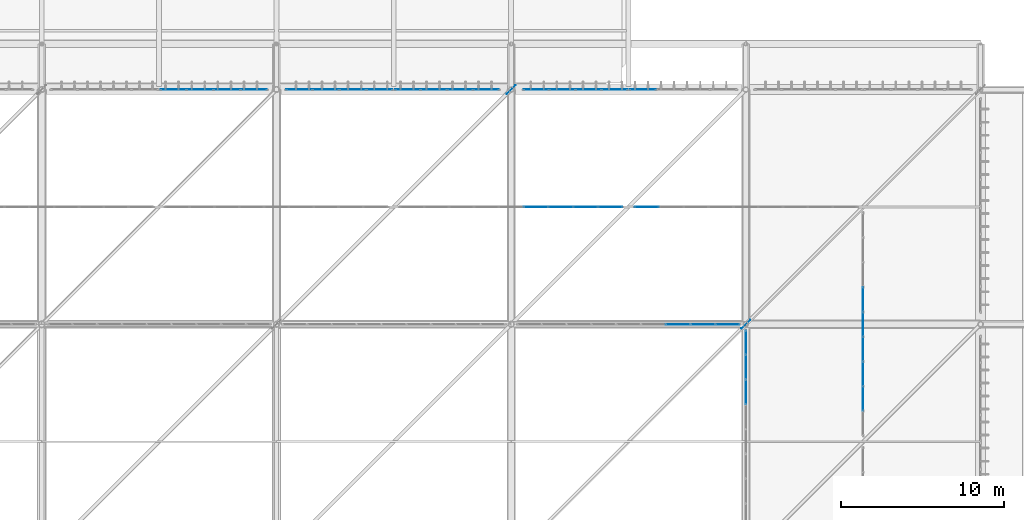
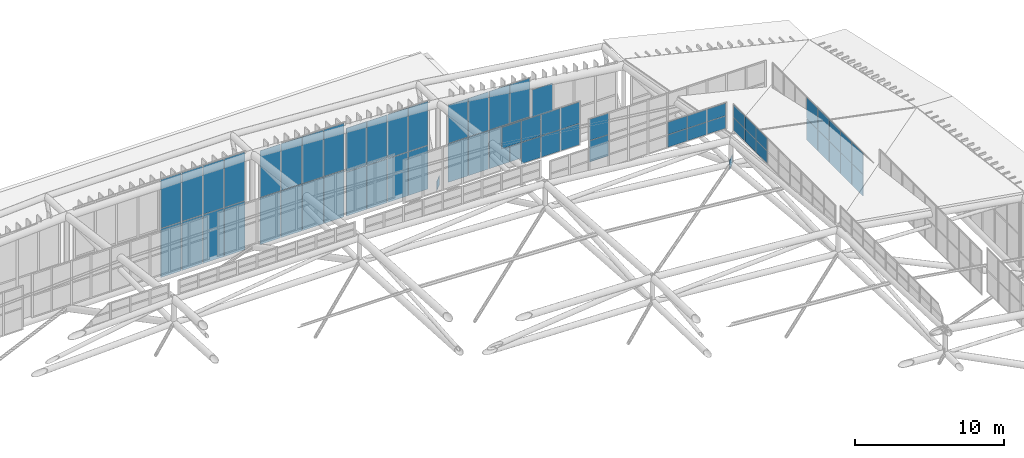
# One storey, part 382 of 397: 67 plates, 10 elements without a shape of their own.
"""IFC4 building model written with IfcOpenShell, lengths in metres."""

from ifc_helpers import new_model, si_unit, direction, frame, origin, origin_2d, place, context, subcontext, project, spatial, rectangle, extrude, material, layer, layer_set, type_object, element, aggregate, save


model = new_model("IFC4")

# Units and contexts
model_context = context("Model", 3, precision=1e-05, world=origin(), true_north=direction((0.0, 1.0)))
body_context = subcontext(model_context, "Body", "Model", "MODEL_VIEW")
ifc_project = project(units=[si_unit("LENGTHUNIT", "METRE"), si_unit("AREAUNIT", "SQUARE_METRE"), si_unit("VOLUMEUNIT", "CUBIC_METRE"), si_unit("PLANEANGLEUNIT", "RADIAN"), si_unit("MASSUNIT", "GRAM", prefix="KILO")], contexts=[model_context])

# Site, building, storey
site_placement = place(None, origin())
site = spatial("IfcSite", under=ifc_project, at=site_placement, CompositionType="ELEMENT")
building_placement = place(site_placement, origin())
building = spatial("IfcBuilding", under=site, at=building_placement, Name="Qandorah Velis Arena", CompositionType="ELEMENT")
storey_placement = place(building_placement, frame((0.0, 0.0, 27.5)))
storey = spatial("IfcBuildingStorey", under=building, at=storey_placement, Name="RF", CompositionType="ELEMENT", Elevation=27.5)

# Curtain wall, plates
ifc_material_1 = material(Name="Solar-control low-E double glazing", Category="glass")
curtain_wall_type_1 = type_object("IfcCurtainWallType", Name="ARC-CW-SYS18", PredefinedType="USERDEFINED", material=ifc_material_1)
curtain_wall_1_placement = place(storey_placement, origin())
curtain_wall_1 = element("IfcCurtainWall", 1, at=curtain_wall_1_placement, inside=storey, type_object=curtain_wall_type_1, Name="Unitised curtain wall MON-2-6", ObjectType="UNITISED CURTAIN WALL", PredefinedType="USERDEFINED")
ifc_layer_1 = layer(ifc_material_1, 0.030029296875)
ifc_layer_set_1 = layer_set([ifc_layer_1], Name="Solar-control low-E double glazing")
plate_type_1 = type_object("IfcPlateType", Name="ARC-CWP-GLZ30", PredefinedType="CURTAIN_PANEL", material=ifc_layer_set_1)
plate_1_placement = place(storey_placement, frame((108.0, 96.2333984375, 3.58642578125), z_axis=(0.0, 0.0, 1.0), x_axis=(0.0, 1.0, 0.0)))
plate_1 = element("IfcPlate", 2, at=plate_1_placement, type_object=plate_type_1, Name="CW18 panel 2.1", PredefinedType="CURTAIN_PANEL", context=body_context, shape_type="SweptSolid", body=[
    extrude(rectangle(XDim=1.4873046875, YDim=0.030029296875, at=origin_2d()), origin(), (0.0, 0.0, 1.0), 1.737548828125),
])
plate_2_placement = place(storey_placement, frame((108.0, 96.2333984375, 5.35888671875), z_axis=(0.0, 0.0, 1.0), x_axis=(0.0, 1.0, 0.0)))
plate_2 = element("IfcPlate", 3, at=plate_2_placement, type_object=plate_type_1, Name="CW18 panel 2.2", PredefinedType="CURTAIN_PANEL", context=body_context, shape_type="SweptSolid", body=[
    extrude(rectangle(XDim=1.4873046875, YDim=0.030029296875, at=origin_2d()), origin(), (0.0, 0.0, 1.0), 1.737548828125),
])
plate_3_placement = place(storey_placement, frame((108.0, 97.755615234375, 3.58642578125), z_axis=(0.0, 0.0, 1.0), x_axis=(0.0, 1.0, 0.0)))
plate_3 = element("IfcPlate", 4, at=plate_3_placement, type_object=plate_type_1, Name="CW18 panel 3.1", PredefinedType="CURTAIN_PANEL", context=body_context, shape_type="SweptSolid", body=[
    extrude(rectangle(XDim=1.4873046875, YDim=0.030029296875, at=origin_2d()), origin(), (0.0, 0.0, 1.0), 1.737548828125),
])
plate_4_placement = place(storey_placement, frame((108.0, 97.755615234375, 5.35888671875), z_axis=(0.0, 0.0, 1.0), x_axis=(0.0, 1.0, 0.0)))
plate_4 = element("IfcPlate", 5, at=plate_4_placement, type_object=plate_type_1, Name="CW18 panel 3.2", PredefinedType="CURTAIN_PANEL", context=body_context, shape_type="SweptSolid", body=[
    extrude(rectangle(XDim=1.4873046875, YDim=0.030029296875, at=origin_2d()), origin(), (0.0, 0.0, 1.0), 1.737548828125),
])
plate_5_placement = place(storey_placement, frame((108.0, 99.27783203125, 3.58642578125), z_axis=(0.0, 0.0, 1.0), x_axis=(0.0, 1.0, 0.0)))
plate_5 = element("IfcPlate", 6, at=plate_5_placement, type_object=plate_type_1, Name="CW18 panel 4.1", PredefinedType="CURTAIN_PANEL", context=body_context, shape_type="SweptSolid", body=[
    extrude(rectangle(XDim=1.4873046875, YDim=0.030029296875, at=origin_2d()), origin(), (0.0, 0.0, 1.0), 1.737548828125),
])
plate_6_placement = place(storey_placement, frame((108.0, 99.27783203125, 5.35888671875), z_axis=(0.0, 0.0, 1.0), x_axis=(0.0, 1.0, 0.0)))
plate_6 = element("IfcPlate", 7, at=plate_6_placement, type_object=plate_type_1, Name="CW18 panel 4.2", PredefinedType="CURTAIN_PANEL", context=body_context, shape_type="SweptSolid", body=[
    extrude(rectangle(XDim=1.4873046875, YDim=0.030029296875, at=origin_2d()), origin(), (0.0, 0.0, 1.0), 1.737548828125),
])
plate_7_placement = place(storey_placement, frame((108.0, 100.800048828125, 3.58642578125), z_axis=(0.0, 0.0, 1.0), x_axis=(0.0, 1.0, 0.0)))
plate_7 = element("IfcPlate", 8, at=plate_7_placement, type_object=plate_type_1, Name="CW18 panel 5.1", PredefinedType="CURTAIN_PANEL", context=body_context, shape_type="SweptSolid", body=[
    extrude(rectangle(XDim=1.4873046875, YDim=0.030029296875, at=origin_2d()), origin(), (0.0, 0.0, 1.0), 1.737548828125),
])
plate_8_placement = place(storey_placement, frame((108.0, 100.800048828125, 5.35888671875), z_axis=(0.0, 0.0, 1.0), x_axis=(0.0, 1.0, 0.0)))
plate_8 = element("IfcPlate", 9, at=plate_8_placement, type_object=plate_type_1, Name="CW18 panel 5.2", PredefinedType="CURTAIN_PANEL", context=body_context, shape_type="SweptSolid", body=[
    extrude(rectangle(XDim=1.4873046875, YDim=0.030029296875, at=origin_2d()), origin(), (0.0, 0.0, 1.0), 1.737548828125),
])
plate_9_placement = place(storey_placement, frame((108.0, 102.322265625, 3.58642578125), z_axis=(0.0, 0.0, 1.0), x_axis=(0.0, 1.0, 0.0)))
plate_9 = element("IfcPlate", 10, at=plate_9_placement, type_object=plate_type_1, Name="CW18 panel 6.1", PredefinedType="CURTAIN_PANEL", context=body_context, shape_type="SweptSolid", body=[
    extrude(rectangle(XDim=1.4873046875, YDim=0.030029296875, at=origin_2d()), origin(), (0.0, 0.0, 1.0), 1.737548828125),
])
plate_10_placement = place(storey_placement, frame((108.0, 102.322265625, 5.35888671875), z_axis=(0.0, 0.0, 1.0), x_axis=(0.0, 1.0, 0.0)))
plate_10 = element("IfcPlate", 11, at=plate_10_placement, type_object=plate_type_1, Name="CW18 panel 6.2", PredefinedType="CURTAIN_PANEL", context=body_context, shape_type="SweptSolid", body=[
    extrude(rectangle(XDim=1.4873046875, YDim=0.030029296875, at=origin_2d()), origin(), (0.0, 0.0, 1.0), 1.737548828125),
])
aggregate(curtain_wall_1, [plate_1, plate_2, plate_3, plate_4, plate_5, plate_6, plate_7, plate_8, plate_9, plate_10])

curtain_wall_type_2 = type_object("IfcCurtainWallType", Name="ARC-CW-SYS05", PredefinedType="USERDEFINED", material=ifc_material_1)
curtain_wall_2_placement = place(storey_placement, origin())
curtain_wall_2 = element("IfcCurtainWall", 12, at=curtain_wall_2_placement, inside=storey, type_object=curtain_wall_type_2, Name="Unitised curtain wall MON-4-5", ObjectType="UNITISED CURTAIN WALL", PredefinedType="USERDEFINED")
plate_11_placement = place(storey_placement, frame((87.922119140625, 108.0, 7.17041015625), z_axis=(0.0, 0.0, 1.0), x_axis=(1.0, 0.0, 0.0)))
plate_11 = element("IfcPlate", 13, at=plate_11_placement, type_object=plate_type_1, Name="CW05 panel 6.2", PredefinedType="CURTAIN_PANEL", context=body_context, shape_type="SweptSolid", body=[
    extrude(rectangle(XDim=1.4873046875, YDim=0.030029296875, at=origin_2d()), origin(), (0.0, 0.0, 1.0), 1.737548828125),
])
plate_12_placement = place(storey_placement, frame((89.4443359375, 108.0, 5.3974609375), z_axis=(0.0, 0.0, 1.0), x_axis=(1.0, 0.0, 0.0)))
plate_12 = element("IfcPlate", 14, at=plate_12_placement, type_object=plate_type_1, Name="CW05 panel 7.1", PredefinedType="CURTAIN_PANEL", context=body_context, shape_type="SweptSolid", body=[
    extrude(rectangle(XDim=1.4873046875, YDim=0.030029296875, at=origin_2d()), origin(), (0.0, 0.0, 1.0), 1.737548828125),
])
plate_13_placement = place(storey_placement, frame((89.4443359375, 108.0, 7.17041015625), z_axis=(0.0, 0.0, 1.0), x_axis=(1.0, 0.0, 0.0)))
plate_13 = element("IfcPlate", 15, at=plate_13_placement, type_object=plate_type_1, Name="CW05 panel 7.2", PredefinedType="CURTAIN_PANEL", context=body_context, shape_type="SweptSolid", body=[
    extrude(rectangle(XDim=1.4873046875, YDim=0.030029296875, at=origin_2d()), origin(), (0.0, 0.0, 1.0), 1.737548828125),
])
plate_14_placement = place(storey_placement, frame((90.966552734375, 108.0, 5.3974609375), z_axis=(0.0, 0.0, 1.0), x_axis=(1.0, 0.0, 0.0)))
plate_14 = element("IfcPlate", 16, at=plate_14_placement, type_object=plate_type_1, Name="CW05 panel 8.1", PredefinedType="CURTAIN_PANEL", context=body_context, shape_type="SweptSolid", body=[
    extrude(rectangle(XDim=1.4873046875, YDim=0.030029296875, at=origin_2d()), origin(), (0.0, 0.0, 1.0), 1.737548828125),
])
plate_15_placement = place(storey_placement, frame((90.966552734375, 108.0, 7.17041015625), z_axis=(0.0, 0.0, 1.0), x_axis=(1.0, 0.0, 0.0)))
plate_15 = element("IfcPlate", 17, at=plate_15_placement, type_object=plate_type_1, Name="CW05 panel 8.2", PredefinedType="CURTAIN_PANEL", context=body_context, shape_type="SweptSolid", body=[
    extrude(rectangle(XDim=1.4873046875, YDim=0.030029296875, at=origin_2d()), origin(), (0.0, 0.0, 1.0), 1.737548828125),
])
plate_16_placement = place(storey_placement, frame((92.47509765625, 108.0, 5.3974609375), z_axis=(0.0, 0.0, 1.0), x_axis=(1.0, 0.0, 0.0)))
plate_16 = element("IfcPlate", 18, at=plate_16_placement, type_object=plate_type_1, Name="CW05 panel 9.1", PredefinedType="CURTAIN_PANEL", context=body_context, shape_type="SweptSolid", body=[
    extrude(rectangle(XDim=1.459716796875, YDim=0.030029296875, at=origin_2d()), origin(), (0.0, 0.0, 1.0), 1.737548828125),
])
plate_17_placement = place(storey_placement, frame((92.47509765625, 108.0, 7.17041015625), z_axis=(0.0, 0.0, 1.0), x_axis=(1.0, 0.0, 0.0)))
plate_17 = element("IfcPlate", 19, at=plate_17_placement, type_object=plate_type_1, Name="CW05 panel 9.2", PredefinedType="CURTAIN_PANEL", context=body_context, shape_type="SweptSolid", body=[
    extrude(rectangle(XDim=1.459716796875, YDim=0.030029296875, at=origin_2d()), origin(), (0.0, 0.0, 1.0), 1.737548828125),
])
aggregate(curtain_wall_2, [plate_11, plate_12, plate_13, plate_14, plate_15, plate_16, plate_17])

curtain_wall_type_3 = type_object("IfcCurtainWallType", Name="ARC-CW-SYS06", PredefinedType="USERDEFINED", material=ifc_material_1)
curtain_wall_3_placement = place(storey_placement, origin())
curtain_wall_3 = element("IfcCurtainWall", 20, at=curtain_wall_3_placement, inside=storey, type_object=curtain_wall_type_3, Name="Unitised curtain wall MON-4-6", ObjectType="UNITISED CURTAIN WALL", PredefinedType="USERDEFINED")
plate_18_placement = place(storey_placement, frame((94.724853515625, 108.0, 3.685546875), z_axis=(0.0, 0.0, 1.0), x_axis=(1.0, 0.0, 0.0)))
plate_18 = element("IfcPlate", 21, at=plate_18_placement, type_object=plate_type_1, Name="CW06 panel 1.1", PredefinedType="CURTAIN_PANEL", context=body_context, shape_type="SweptSolid", body=[
    extrude(rectangle(XDim=1.459716796875, YDim=0.030029296875, at=origin_2d()), origin(), (0.0, 0.0, 1.0), 1.737548828125),
])
plate_19_placement = place(storey_placement, frame((94.724853515625, 108.0, 5.45849609375), z_axis=(0.0, 0.0, 1.0), x_axis=(1.0, 0.0, 0.0)))
plate_19 = element("IfcPlate", 22, at=plate_19_placement, type_object=plate_type_1, Name="CW06 panel 1.2", PredefinedType="CURTAIN_PANEL", context=body_context, shape_type="SweptSolid", body=[
    extrude(rectangle(XDim=1.459716796875, YDim=0.030029296875, at=origin_2d()), origin(), (0.0, 0.0, 1.0), 1.737548828125),
])
aggregate(curtain_wall_3, [plate_18, plate_19])

curtain_wall_type_4 = type_object("IfcCurtainWallType", Name="ARC-CW-SYS15", PredefinedType="USERDEFINED", material=ifc_material_1)
curtain_wall_4_placement = place(storey_placement, origin())
curtain_wall_4 = element("IfcCurtainWall", 23, at=curtain_wall_4_placement, inside=storey, type_object=curtain_wall_type_4, Name="Unitised curtain wall OCULUS-2-5", ObjectType="UNITISED CURTAIN WALL", PredefinedType="USERDEFINED")
plate_20_placement = place(storey_placement, frame((100.800048828125, 96.64453125, 8.53125), z_axis=(0.0, 0.0, 1.0), x_axis=(0.0, 1.0, 0.0)))
plate_20 = element("IfcPlate", 24, at=plate_20_placement, type_object=plate_type_1, Name="CW15 panel 7.1", PredefinedType="CURTAIN_PANEL", context=body_context, shape_type="SweptSolid", body=[
    extrude(rectangle(XDim=1.4873046875, YDim=0.030029296875, at=origin_2d()), origin(), (0.0, 0.0, 1.0), 1.012451171875),
])
plate_21_placement = place(storey_placement, frame((100.800048828125, 96.64453125, 9.57861328125), z_axis=(0.0, 0.0, 1.0), x_axis=(0.0, 1.0, 0.0)))
plate_21 = element("IfcPlate", 25, at=plate_21_placement, type_object=plate_type_1, Name="CW15 panel 7.2", PredefinedType="CURTAIN_PANEL", context=body_context, shape_type="SweptSolid", body=[
    extrude(rectangle(XDim=1.4873046875, YDim=0.030029296875, at=origin_2d()), origin(), (0.0, 0.0, 1.0), 1.012451171875),
])
plate_22_placement = place(storey_placement, frame((100.800048828125, 98.166748046875, 8.53125), z_axis=(0.0, 0.0, 1.0), x_axis=(0.0, 1.0, 0.0)))
plate_22 = element("IfcPlate", 26, at=plate_22_placement, type_object=plate_type_1, Name="CW15 panel 8.1", PredefinedType="CURTAIN_PANEL", context=body_context, shape_type="SweptSolid", body=[
    extrude(rectangle(XDim=1.4873046875, YDim=0.030029296875, at=origin_2d()), origin(), (0.0, 0.0, 1.0), 1.012451171875),
])
plate_23_placement = place(storey_placement, frame((100.800048828125, 98.166748046875, 9.57861328125), z_axis=(0.0, 0.0, 1.0), x_axis=(0.0, 1.0, 0.0)))
plate_23 = element("IfcPlate", 27, at=plate_23_placement, type_object=plate_type_1, Name="CW15 panel 8.2", PredefinedType="CURTAIN_PANEL", context=body_context, shape_type="SweptSolid", body=[
    extrude(rectangle(XDim=1.4873046875, YDim=0.030029296875, at=origin_2d()), origin(), (0.0, 0.0, 1.0), 1.012451171875),
])
plate_24_placement = place(storey_placement, frame((100.800048828125, 99.675048828125, 8.53125), z_axis=(0.0, 0.0, 1.0), x_axis=(0.0, 1.0, 0.0)))
plate_24 = element("IfcPlate", 28, at=plate_24_placement, type_object=plate_type_1, Name="CW15 panel 9.1", PredefinedType="CURTAIN_PANEL", context=body_context, shape_type="SweptSolid", body=[
    extrude(rectangle(XDim=1.459716796875, YDim=0.030029296875, at=origin_2d()), origin(), (0.0, 0.0, 1.0), 1.012451171875),
])
plate_25_placement = place(storey_placement, frame((100.800048828125, 99.675048828125, 9.57861328125), z_axis=(0.0, 0.0, 1.0), x_axis=(0.0, 1.0, 0.0)))
plate_25 = element("IfcPlate", 29, at=plate_25_placement, type_object=plate_type_1, Name="CW15 panel 9.2", PredefinedType="CURTAIN_PANEL", context=body_context, shape_type="SweptSolid", body=[
    extrude(rectangle(XDim=1.459716796875, YDim=0.030029296875, at=origin_2d()), origin(), (0.0, 0.0, 1.0), 1.012451171875),
])
aggregate(curtain_wall_4, [plate_20, plate_21, plate_22, plate_23, plate_24, plate_25])

curtain_wall_type_5 = type_object("IfcCurtainWallType", Name="ARC-CW-SYS01", PredefinedType="USERDEFINED", material=ifc_material_1)
curtain_wall_5_placement = place(storey_placement, origin())
curtain_wall_5 = element("IfcCurtainWall", 30, at=curtain_wall_5_placement, inside=storey, type_object=curtain_wall_type_5, Name="Unitised curtain wall OCULUS-4-5", ObjectType="UNITISED CURTAIN WALL", PredefinedType="USERDEFINED")
plate_26_placement = place(storey_placement, frame((96.64453125, 100.800048828125, 8.59521484375), z_axis=(0.0, 0.0, 1.0), x_axis=(1.0, 0.0, 0.0)))
plate_26 = element("IfcPlate", 31, at=plate_26_placement, type_object=plate_type_1, Name="CW01 panel 7.1", PredefinedType="CURTAIN_PANEL", context=body_context, shape_type="SweptSolid", body=[
    extrude(rectangle(XDim=1.4873046875, YDim=0.030029296875, at=origin_2d()), origin(), (0.0, 0.0, 1.0), 1.012451171875),
])
plate_27_placement = place(storey_placement, frame((96.64453125, 100.800048828125, 9.642578125), z_axis=(0.0, 0.0, 1.0), x_axis=(1.0, 0.0, 0.0)))
plate_27 = element("IfcPlate", 32, at=plate_27_placement, type_object=plate_type_1, Name="CW01 panel 7.2", PredefinedType="CURTAIN_PANEL", context=body_context, shape_type="SweptSolid", body=[
    extrude(rectangle(XDim=1.4873046875, YDim=0.030029296875, at=origin_2d()), origin(), (0.0, 0.0, 1.0), 1.012451171875),
])
plate_28_placement = place(storey_placement, frame((98.166748046875, 100.800048828125, 8.59521484375), z_axis=(0.0, 0.0, 1.0), x_axis=(1.0, 0.0, 0.0)))
plate_28 = element("IfcPlate", 33, at=plate_28_placement, type_object=plate_type_1, Name="CW01 panel 8.1", PredefinedType="CURTAIN_PANEL", context=body_context, shape_type="SweptSolid", body=[
    extrude(rectangle(XDim=1.4873046875, YDim=0.030029296875, at=origin_2d()), origin(), (0.0, 0.0, 1.0), 1.012451171875),
])
plate_29_placement = place(storey_placement, frame((98.166748046875, 100.800048828125, 9.642578125), z_axis=(0.0, 0.0, 1.0), x_axis=(1.0, 0.0, 0.0)))
plate_29 = element("IfcPlate", 34, at=plate_29_placement, type_object=plate_type_1, Name="CW01 panel 8.2", PredefinedType="CURTAIN_PANEL", context=body_context, shape_type="SweptSolid", body=[
    extrude(rectangle(XDim=1.4873046875, YDim=0.030029296875, at=origin_2d()), origin(), (0.0, 0.0, 1.0), 1.012451171875),
])
plate_30_placement = place(storey_placement, frame((99.675048828125, 100.800048828125, 8.59521484375), z_axis=(0.0, 0.0, 1.0), x_axis=(1.0, 0.0, 0.0)))
plate_30 = element("IfcPlate", 35, at=plate_30_placement, type_object=plate_type_1, Name="CW01 panel 9.1", PredefinedType="CURTAIN_PANEL", context=body_context, shape_type="SweptSolid", body=[
    extrude(rectangle(XDim=1.459716796875, YDim=0.030029296875, at=origin_2d()), origin(), (0.0, 0.0, 1.0), 1.012451171875),
])
plate_31_placement = place(storey_placement, frame((99.675048828125, 100.800048828125, 9.642578125), z_axis=(0.0, 0.0, 1.0), x_axis=(1.0, 0.0, 0.0)))
plate_31 = element("IfcPlate", 36, at=plate_31_placement, type_object=plate_type_1, Name="CW01 panel 9.2", PredefinedType="CURTAIN_PANEL", context=body_context, shape_type="SweptSolid", body=[
    extrude(rectangle(XDim=1.459716796875, YDim=0.030029296875, at=origin_2d()), origin(), (0.0, 0.0, 1.0), 1.012451171875),
])
aggregate(curtain_wall_5, [plate_26, plate_27, plate_28, plate_29, plate_30, plate_31])

curtain_wall_6_placement = place(storey_placement, origin())
curtain_wall_6 = element("IfcCurtainWall", 37, at=curtain_wall_6_placement, inside=storey, type_object=curtain_wall_type_2, Name="Unitised curtain wall CROWN-4-04S2", ObjectType="UNITISED CURTAIN WALL", PredefinedType="USERDEFINED")
ifc_layer_2 = layer(ifc_material_1, 0.035888671875)
ifc_layer_set_2 = layer_set([ifc_layer_2], Name="Solar-control low-E double glazing")
plate_type_2 = type_object("IfcPlateType", Name="ARC-CWP-GLZ36", PredefinedType="CURTAIN_PANEL", material=ifc_layer_set_2)
plate_32_placement = place(storey_placement, frame((65.68115234375, 115.199951171875, 0.050048828125), z_axis=(0.0, 0.0, 1.0), x_axis=(1.0, 0.0, 0.0)))
plate_32 = element("IfcPlate", 38, at=plate_32_placement, type_object=plate_type_2, Name="CW05 panel 1.1", PredefinedType="CURTAIN_PANEL", context=body_context, shape_type="SweptSolid", body=[
    extrude(rectangle(XDim=1.58251953125, YDim=0.035888671875, at=origin_2d()), origin(), (0.0, 0.0, 1.0), 3.990234375),
])
plate_33_placement = place(storey_placement, frame((65.68115234375, 115.199951171875, 4.080078125), z_axis=(0.0, 0.0, 1.0), x_axis=(1.0, 0.0, 0.0)))
plate_33 = element("IfcPlate", 39, at=plate_33_placement, type_object=plate_type_2, Name="CW05 panel 1.2", PredefinedType="CURTAIN_PANEL", context=body_context, shape_type="SweptSolid", body=[
    extrude(rectangle(XDim=1.58251953125, YDim=0.035888671875, at=origin_2d()), origin(), (0.0, 0.0, 1.0), 3.990478515625),
])
plate_34_placement = place(storey_placement, frame((67.31884765625, 115.199951171875, 0.050048828125), z_axis=(0.0, 0.0, 1.0), x_axis=(1.0, 0.0, 0.0)))
plate_34 = element("IfcPlate", 40, at=plate_34_placement, type_object=plate_type_2, Name="CW05 panel 2.1", PredefinedType="CURTAIN_PANEL", context=body_context, shape_type="SweptSolid", body=[
    extrude(rectangle(XDim=1.612548828125, YDim=0.035888671875, at=origin_2d()), origin(), (0.0, 0.0, 1.0), 3.990234375),
])
plate_35_placement = place(storey_placement, frame((67.31884765625, 115.199951171875, 4.080078125), z_axis=(0.0, 0.0, 1.0), x_axis=(1.0, 0.0, 0.0)))
plate_35 = element("IfcPlate", 41, at=plate_35_placement, type_object=plate_type_2, Name="CW05 panel 2.2", PredefinedType="CURTAIN_PANEL", context=body_context, shape_type="SweptSolid", body=[
    extrude(rectangle(XDim=1.612548828125, YDim=0.035888671875, at=origin_2d()), origin(), (0.0, 0.0, 1.0), 3.990478515625),
])
plate_36_placement = place(storey_placement, frame((68.97119140625, 115.199951171875, 0.050048828125), z_axis=(0.0, 0.0, 1.0), x_axis=(1.0, 0.0, 0.0)))
plate_36 = element("IfcPlate", 42, at=plate_36_placement, type_object=plate_type_2, Name="CW05 panel 3.1", PredefinedType="CURTAIN_PANEL", context=body_context, shape_type="SweptSolid", body=[
    extrude(rectangle(XDim=1.612548828125, YDim=0.035888671875, at=origin_2d()), origin(), (0.0, 0.0, 1.0), 3.990234375),
])
plate_37_placement = place(storey_placement, frame((68.97119140625, 115.199951171875, 4.080078125), z_axis=(0.0, 0.0, 1.0), x_axis=(1.0, 0.0, 0.0)))
plate_37 = element("IfcPlate", 43, at=plate_37_placement, type_object=plate_type_2, Name="CW05 panel 3.2", PredefinedType="CURTAIN_PANEL", context=body_context, shape_type="SweptSolid", body=[
    extrude(rectangle(XDim=1.612548828125, YDim=0.035888671875, at=origin_2d()), origin(), (0.0, 0.0, 1.0), 3.990478515625),
])
plate_38_placement = place(storey_placement, frame((70.608642578125, 115.199951171875, 0.050048828125), z_axis=(0.0, 0.0, 1.0), x_axis=(1.0, 0.0, 0.0)))
plate_38 = element("IfcPlate", 44, at=plate_38_placement, type_object=plate_type_2, Name="CW05 panel 4.1", PredefinedType="CURTAIN_PANEL", context=body_context, shape_type="SweptSolid", body=[
    extrude(rectangle(XDim=1.58251953125, YDim=0.035888671875, at=origin_2d()), origin(), (0.0, 0.0, 1.0), 3.990234375),
])
plate_39_placement = place(storey_placement, frame((70.608642578125, 115.199951171875, 4.080078125), z_axis=(0.0, 0.0, 1.0), x_axis=(1.0, 0.0, 0.0)))
plate_39 = element("IfcPlate", 45, at=plate_39_placement, type_object=plate_type_2, Name="CW05 panel 4.2", PredefinedType="CURTAIN_PANEL", context=body_context, shape_type="SweptSolid", body=[
    extrude(rectangle(XDim=1.58251953125, YDim=0.035888671875, at=origin_2d()), origin(), (0.0, 0.0, 1.0), 3.990478515625),
])
aggregate(curtain_wall_6, [plate_32, plate_33, plate_34, plate_35, plate_36, plate_37, plate_38, plate_39])

curtain_wall_7_placement = place(storey_placement, origin())
curtain_wall_7 = element("IfcCurtainWall", 46, at=curtain_wall_7_placement, inside=storey, type_object=curtain_wall_type_2, Name="Unitised curtain wall CROWN-4-05S1", ObjectType="UNITISED CURTAIN WALL", PredefinedType="USERDEFINED")
plate_40_placement = place(storey_placement, frame((73.391357421875, 115.199951171875, 0.0498046875), z_axis=(0.0, 0.0, 1.0), x_axis=(1.0, 0.0, 0.0)))
plate_40 = element("IfcPlate", 47, at=plate_40_placement, type_object=plate_type_2, Name="CW05 panel 1.1", PredefinedType="CURTAIN_PANEL", context=body_context, shape_type="SweptSolid", body=[
    extrude(rectangle(XDim=1.58251953125, YDim=0.035888671875, at=origin_2d()), origin(), (0.0, 0.0, 1.0), 3.828369140625),
])
plate_41_placement = place(storey_placement, frame((73.391357421875, 115.199951171875, 3.91845703125), z_axis=(0.0, 0.0, 1.0), x_axis=(1.0, 0.0, 0.0)))
plate_41 = element("IfcPlate", 48, at=plate_41_placement, type_object=plate_type_2, Name="CW05 panel 1.2", PredefinedType="CURTAIN_PANEL", context=body_context, shape_type="SweptSolid", body=[
    extrude(rectangle(XDim=1.58251953125, YDim=0.035888671875, at=origin_2d()), origin(), (0.0, 0.0, 1.0), 3.828125),
])
plate_42_placement = place(storey_placement, frame((75.02880859375, 115.199951171875, 0.0498046875), z_axis=(0.0, 0.0, 1.0), x_axis=(1.0, 0.0, 0.0)))
plate_42 = element("IfcPlate", 49, at=plate_42_placement, type_object=plate_type_2, Name="CW05 panel 2.1", PredefinedType="CURTAIN_PANEL", context=body_context, shape_type="SweptSolid", body=[
    extrude(rectangle(XDim=1.612548828125, YDim=0.035888671875, at=origin_2d()), origin(), (0.0, 0.0, 1.0), 3.828369140625),
])
plate_43_placement = place(storey_placement, frame((75.02880859375, 115.199951171875, 3.91845703125), z_axis=(0.0, 0.0, 1.0), x_axis=(1.0, 0.0, 0.0)))
plate_43 = element("IfcPlate", 50, at=plate_43_placement, type_object=plate_type_2, Name="CW05 panel 2.2", PredefinedType="CURTAIN_PANEL", context=body_context, shape_type="SweptSolid", body=[
    extrude(rectangle(XDim=1.612548828125, YDim=0.035888671875, at=origin_2d()), origin(), (0.0, 0.0, 1.0), 3.828125),
])
plate_44_placement = place(storey_placement, frame((76.68115234375, 115.199951171875, 0.0498046875), z_axis=(0.0, 0.0, 1.0), x_axis=(1.0, 0.0, 0.0)))
plate_44 = element("IfcPlate", 51, at=plate_44_placement, type_object=plate_type_2, Name="CW05 panel 3.1", PredefinedType="CURTAIN_PANEL", context=body_context, shape_type="SweptSolid", body=[
    extrude(rectangle(XDim=1.612548828125, YDim=0.035888671875, at=origin_2d()), origin(), (0.0, 0.0, 1.0), 3.828369140625),
])
plate_45_placement = place(storey_placement, frame((76.68115234375, 115.199951171875, 3.91845703125), z_axis=(0.0, 0.0, 1.0), x_axis=(1.0, 0.0, 0.0)))
plate_45 = element("IfcPlate", 52, at=plate_45_placement, type_object=plate_type_2, Name="CW05 panel 3.2", PredefinedType="CURTAIN_PANEL", context=body_context, shape_type="SweptSolid", body=[
    extrude(rectangle(XDim=1.612548828125, YDim=0.035888671875, at=origin_2d()), origin(), (0.0, 0.0, 1.0), 3.828125),
])
plate_46_placement = place(storey_placement, frame((78.31884765625, 115.199951171875, 0.0498046875), z_axis=(0.0, 0.0, 1.0), x_axis=(1.0, 0.0, 0.0)))
plate_46 = element("IfcPlate", 53, at=plate_46_placement, type_object=plate_type_2, Name="CW05 panel 4.1", PredefinedType="CURTAIN_PANEL", context=body_context, shape_type="SweptSolid", body=[
    extrude(rectangle(XDim=1.58251953125, YDim=0.035888671875, at=origin_2d()), origin(), (0.0, 0.0, 1.0), 3.828369140625),
])
plate_47_placement = place(storey_placement, frame((78.31884765625, 115.199951171875, 3.91845703125), z_axis=(0.0, 0.0, 1.0), x_axis=(1.0, 0.0, 0.0)))
plate_47 = element("IfcPlate", 54, at=plate_47_placement, type_object=plate_type_2, Name="CW05 panel 4.2", PredefinedType="CURTAIN_PANEL", context=body_context, shape_type="SweptSolid", body=[
    extrude(rectangle(XDim=1.58251953125, YDim=0.035888671875, at=origin_2d()), origin(), (0.0, 0.0, 1.0), 3.828125),
])
aggregate(curtain_wall_7, [plate_40, plate_41, plate_42, plate_43, plate_44, plate_45, plate_46, plate_47])

curtain_wall_8_placement = place(storey_placement, origin())
curtain_wall_8 = element("IfcCurtainWall", 55, at=curtain_wall_8_placement, inside=storey, type_object=curtain_wall_type_3, Name="Unitised curtain wall CROWN-4-05S2", ObjectType="UNITISED CURTAIN WALL", PredefinedType="USERDEFINED")
plate_48_placement = place(storey_placement, frame((80.059326171875, 115.199951171875, 0.0498046875), z_axis=(0.0, 0.0, 1.0), x_axis=(1.0, 0.0, 0.0)))
plate_48 = element("IfcPlate", 56, at=plate_48_placement, type_object=plate_type_2, Name="CW06 panel 1.1", PredefinedType="CURTAIN_PANEL", context=body_context, shape_type="SweptSolid", body=[
    extrude(rectangle(XDim=1.538818359375, YDim=0.035888671875, at=origin_2d()), origin(), (0.0, 0.0, 1.0), 3.579833984375),
])
plate_49_placement = place(storey_placement, frame((80.059326171875, 115.199951171875, 3.669921875), z_axis=(0.0, 0.0, 1.0), x_axis=(1.0, 0.0, 0.0)))
plate_49 = element("IfcPlate", 57, at=plate_49_placement, type_object=plate_type_2, Name="CW06 panel 1.2", PredefinedType="CURTAIN_PANEL", context=body_context, shape_type="SweptSolid", body=[
    extrude(rectangle(XDim=1.538818359375, YDim=0.035888671875, at=origin_2d()), origin(), (0.0, 0.0, 1.0), 3.579833984375),
])
plate_50_placement = place(storey_placement, frame((81.653076171875, 115.199951171875, 0.0498046875), z_axis=(0.0, 0.0, 1.0), x_axis=(1.0, 0.0, 0.0)))
plate_50 = element("IfcPlate", 58, at=plate_50_placement, type_object=plate_type_2, Name="CW06 panel 2.1", PredefinedType="CURTAIN_PANEL", context=body_context, shape_type="SweptSolid", body=[
    extrude(rectangle(XDim=1.56884765625, YDim=0.035888671875, at=origin_2d()), origin(), (0.0, 0.0, 1.0), 3.579833984375),
])
plate_51_placement = place(storey_placement, frame((81.653076171875, 115.199951171875, 3.669921875), z_axis=(0.0, 0.0, 1.0), x_axis=(1.0, 0.0, 0.0)))
plate_51 = element("IfcPlate", 59, at=plate_51_placement, type_object=plate_type_2, Name="CW06 panel 2.2", PredefinedType="CURTAIN_PANEL", context=body_context, shape_type="SweptSolid", body=[
    extrude(rectangle(XDim=1.56884765625, YDim=0.035888671875, at=origin_2d()), origin(), (0.0, 0.0, 1.0), 3.579833984375),
])
plate_52_placement = place(storey_placement, frame((83.261962890625, 115.199951171875, 0.0498046875), z_axis=(0.0, 0.0, 1.0), x_axis=(1.0, 0.0, 0.0)))
plate_52 = element("IfcPlate", 60, at=plate_52_placement, type_object=plate_type_2, Name="CW06 panel 3.1", PredefinedType="CURTAIN_PANEL", context=body_context, shape_type="SweptSolid", body=[
    extrude(rectangle(XDim=1.56884765625, YDim=0.035888671875, at=origin_2d()), origin(), (0.0, 0.0, 1.0), 3.579833984375),
])
plate_53_placement = place(storey_placement, frame((83.261962890625, 115.199951171875, 3.669921875), z_axis=(0.0, 0.0, 1.0), x_axis=(1.0, 0.0, 0.0)))
plate_53 = element("IfcPlate", 61, at=plate_53_placement, type_object=plate_type_2, Name="CW06 panel 3.2", PredefinedType="CURTAIN_PANEL", context=body_context, shape_type="SweptSolid", body=[
    extrude(rectangle(XDim=1.56884765625, YDim=0.035888671875, at=origin_2d()), origin(), (0.0, 0.0, 1.0), 3.579833984375),
])
plate_54_placement = place(storey_placement, frame((84.855712890625, 115.199951171875, 0.0498046875), z_axis=(0.0, 0.0, 1.0), x_axis=(1.0, 0.0, 0.0)))
plate_54 = element("IfcPlate", 62, at=plate_54_placement, type_object=plate_type_2, Name="CW06 panel 4.1", PredefinedType="CURTAIN_PANEL", context=body_context, shape_type="SweptSolid", body=[
    extrude(rectangle(XDim=1.538818359375, YDim=0.035888671875, at=origin_2d()), origin(), (0.0, 0.0, 1.0), 3.579833984375),
])
plate_55_placement = place(storey_placement, frame((84.855712890625, 115.199951171875, 3.669921875), z_axis=(0.0, 0.0, 1.0), x_axis=(1.0, 0.0, 0.0)))
plate_55 = element("IfcPlate", 63, at=plate_55_placement, type_object=plate_type_2, Name="CW06 panel 4.2", PredefinedType="CURTAIN_PANEL", context=body_context, shape_type="SweptSolid", body=[
    extrude(rectangle(XDim=1.538818359375, YDim=0.035888671875, at=origin_2d()), origin(), (0.0, 0.0, 1.0), 3.579833984375),
])
aggregate(curtain_wall_8, [plate_48, plate_49, plate_50, plate_51, plate_52, plate_53, plate_54, plate_55])

curtain_wall_9_placement = place(storey_placement, origin())
curtain_wall_9 = element("IfcCurtainWall", 64, at=curtain_wall_9_placement, inside=storey, type_object=curtain_wall_type_3, Name="Unitised curtain wall CROWN-4-06S1", ObjectType="UNITISED CURTAIN WALL", PredefinedType="USERDEFINED")
plate_56_placement = place(storey_placement, frame((87.9443359375, 115.199951171875, 0.050048828125), z_axis=(0.0, 0.0, 1.0), x_axis=(1.0, 0.0, 0.0)))
plate_56 = element("IfcPlate", 65, at=plate_56_placement, type_object=plate_type_2, Name="CW06 panel 1.1", PredefinedType="CURTAIN_PANEL", context=body_context, shape_type="SweptSolid", body=[
    extrude(rectangle(XDim=1.538818359375, YDim=0.035888671875, at=origin_2d()), origin(), (0.0, 0.0, 1.0), 3.14990234375),
])
plate_57_placement = place(storey_placement, frame((87.9443359375, 115.199951171875, 3.23974609375), z_axis=(0.0, 0.0, 1.0), x_axis=(1.0, 0.0, 0.0)))
plate_57 = element("IfcPlate", 66, at=plate_57_placement, type_object=plate_type_2, Name="CW06 panel 1.2", PredefinedType="CURTAIN_PANEL", context=body_context, shape_type="SweptSolid", body=[
    extrude(rectangle(XDim=1.538818359375, YDim=0.035888671875, at=origin_2d()), origin(), (0.0, 0.0, 1.0), 3.14990234375),
])
plate_58_placement = place(storey_placement, frame((89.5380859375, 115.199951171875, 0.050048828125), z_axis=(0.0, 0.0, 1.0), x_axis=(1.0, 0.0, 0.0)))
plate_58 = element("IfcPlate", 67, at=plate_58_placement, type_object=plate_type_2, Name="CW06 panel 2.1", PredefinedType="CURTAIN_PANEL", context=body_context, shape_type="SweptSolid", body=[
    extrude(rectangle(XDim=1.56884765625, YDim=0.035888671875, at=origin_2d()), origin(), (0.0, 0.0, 1.0), 3.14990234375),
])
plate_59_placement = place(storey_placement, frame((89.5380859375, 115.199951171875, 3.23974609375), z_axis=(0.0, 0.0, 1.0), x_axis=(1.0, 0.0, 0.0)))
plate_59 = element("IfcPlate", 68, at=plate_59_placement, type_object=plate_type_2, Name="CW06 panel 2.2", PredefinedType="CURTAIN_PANEL", context=body_context, shape_type="SweptSolid", body=[
    extrude(rectangle(XDim=1.56884765625, YDim=0.035888671875, at=origin_2d()), origin(), (0.0, 0.0, 1.0), 3.14990234375),
])
plate_60_placement = place(storey_placement, frame((91.14697265625, 115.199951171875, 0.050048828125), z_axis=(0.0, 0.0, 1.0), x_axis=(1.0, 0.0, 0.0)))
plate_60 = element("IfcPlate", 69, at=plate_60_placement, type_object=plate_type_2, Name="CW06 panel 3.1", PredefinedType="CURTAIN_PANEL", context=body_context, shape_type="SweptSolid", body=[
    extrude(rectangle(XDim=1.56884765625, YDim=0.035888671875, at=origin_2d()), origin(), (0.0, 0.0, 1.0), 3.14990234375),
])
plate_61_placement = place(storey_placement, frame((91.14697265625, 115.199951171875, 3.23974609375), z_axis=(0.0, 0.0, 1.0), x_axis=(1.0, 0.0, 0.0)))
plate_61 = element("IfcPlate", 70, at=plate_61_placement, type_object=plate_type_2, Name="CW06 panel 3.2", PredefinedType="CURTAIN_PANEL", context=body_context, shape_type="SweptSolid", body=[
    extrude(rectangle(XDim=1.56884765625, YDim=0.035888671875, at=origin_2d()), origin(), (0.0, 0.0, 1.0), 3.14990234375),
])
plate_62_placement = place(storey_placement, frame((92.74072265625, 115.199951171875, 0.050048828125), z_axis=(0.0, 0.0, 1.0), x_axis=(1.0, 0.0, 0.0)))
plate_62 = element("IfcPlate", 71, at=plate_62_placement, type_object=plate_type_2, Name="CW06 panel 4.1", PredefinedType="CURTAIN_PANEL", context=body_context, shape_type="SweptSolid", body=[
    extrude(rectangle(XDim=1.538818359375, YDim=0.035888671875, at=origin_2d()), origin(), (0.0, 0.0, 1.0), 3.14990234375),
])
plate_63_placement = place(storey_placement, frame((92.74072265625, 115.199951171875, 3.23974609375), z_axis=(0.0, 0.0, 1.0), x_axis=(1.0, 0.0, 0.0)))
plate_63 = element("IfcPlate", 72, at=plate_63_placement, type_object=plate_type_2, Name="CW06 panel 4.2", PredefinedType="CURTAIN_PANEL", context=body_context, shape_type="SweptSolid", body=[
    extrude(rectangle(XDim=1.538818359375, YDim=0.035888671875, at=origin_2d()), origin(), (0.0, 0.0, 1.0), 3.14990234375),
])
aggregate(curtain_wall_9, [plate_56, plate_57, plate_58, plate_59, plate_60, plate_61, plate_62, plate_63])

curtain_wall_type_6 = type_object("IfcCurtainWallType", Name="ARC-CW-SYS07", PredefinedType="USERDEFINED", material=ifc_material_1)
curtain_wall_10_placement = place(storey_placement, origin())
curtain_wall_10 = element("IfcCurtainWall", 73, at=curtain_wall_10_placement, inside=storey, type_object=curtain_wall_type_6, Name="Unitised curtain wall CROWN-4-06S2", ObjectType="UNITISED CURTAIN WALL", PredefinedType="USERDEFINED")
plate_64_placement = place(storey_placement, frame((94.481201171875, 115.199951171875, 0.0498046875), z_axis=(0.0, 0.0, 1.0), x_axis=(1.0, 0.0, 0.0)))
plate_64 = element("IfcPlate", 74, at=plate_64_placement, type_object=plate_type_2, Name="CW07 panel 1.1", PredefinedType="CURTAIN_PANEL", context=body_context, shape_type="SweptSolid", body=[
    extrude(rectangle(XDim=1.58251953125, YDim=0.035888671875, at=origin_2d()), origin(), (0.0, 0.0, 1.0), 2.630615234375),
])
plate_65_placement = place(storey_placement, frame((94.481201171875, 115.199951171875, 2.720458984375), z_axis=(0.0, 0.0, 1.0), x_axis=(1.0, 0.0, 0.0)))
plate_65 = element("IfcPlate", 75, at=plate_65_placement, type_object=plate_type_2, Name="CW07 panel 1.2", PredefinedType="CURTAIN_PANEL", context=body_context, shape_type="SweptSolid", body=[
    extrude(rectangle(XDim=1.58251953125, YDim=0.035888671875, at=origin_2d()), origin(), (0.0, 0.0, 1.0), 2.63037109375),
])
aggregate(curtain_wall_10, [plate_64, plate_65])

# Plates
ifc_material_2 = material(Name="Steel S355", Category="steel")
ifc_layer_3 = layer(ifc_material_2, 0.02490234375)
ifc_layer_set_3 = layer_set([ifc_layer_3], Name="Steel S355")
plate_type_3 = type_object("IfcPlateType", Name="STR-PLT-GUS25", PredefinedType="SHEET", material=ifc_layer_set_3)
for number, where, z_axis, x_axis, name in (
    (76, (86.39990234375, 115.199951171875, -0.125), (0.0, 0.0, 1.0), (0.707106781187, 0.707106781187, 0.0), "Space frame gusset plate 5.7"),
    (77, (100.800048828125, 100.800048828125, 5.290283203125), (0.0, 0.0, 1.0), (0.707106781187, 0.707106781187, 0.0), "Space frame gusset plate 6.6"),
):
    element("IfcPlate", number, at=place(storey_placement, frame(where, z_axis=z_axis, x_axis=x_axis)), inside=storey, type_object=plate_type_3, Name=name, PredefinedType="SHEET", context=body_context, shape_type="SweptSolid", body=[
        extrude(rectangle(XDim=0.75, YDim=0.02490234375, at=origin_2d()), origin(), (0.0, 0.0, 1.0), 0.75),
    ])

save(model, "model.ifc")
